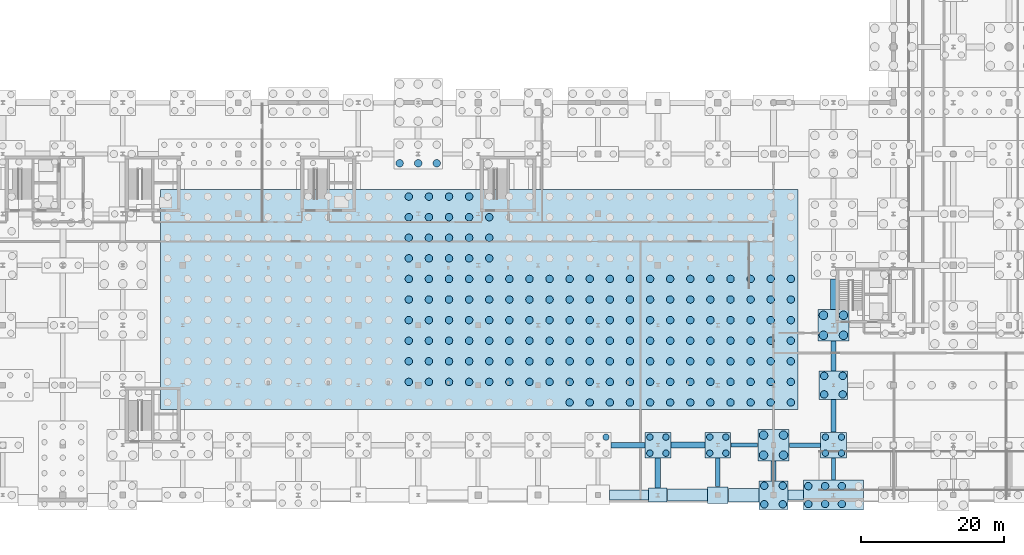
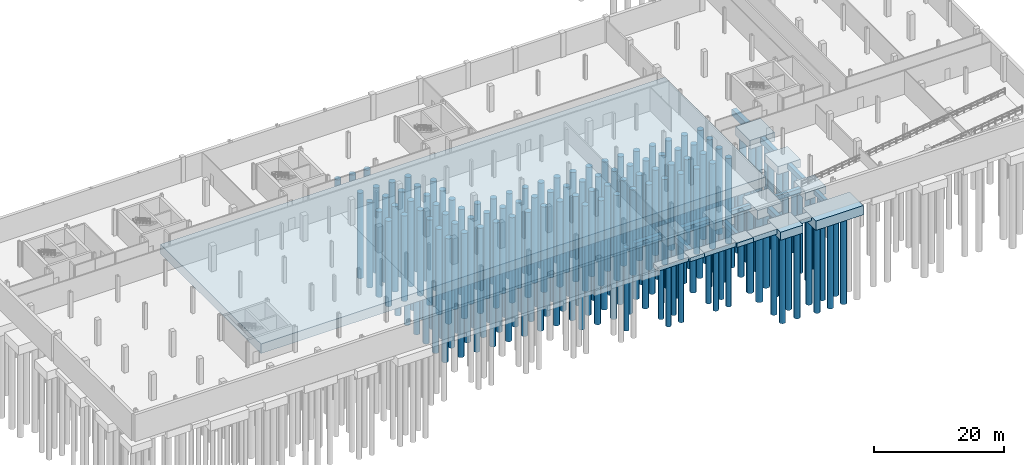
# One storey, part 4 of 32: 189 piles, 26 footings.
"""IFC4 building model written with IfcOpenShell, lengths in metres."""

from ifc_helpers import new_model, si_unit, direction, frame, origin_with_axes, origin_2d_with_axis, place, context, subcontext, project, spatial, rectangle, circle, extrude, material, material_profile, profile_set, type_object, element, save


model = new_model("IFC4")

# Units and contexts
model_context = context("Model", 3, precision=1e-05, world=origin_with_axes(), true_north=direction((0.0, 1.0)))
body_context = subcontext(model_context, "Body", "Model", "MODEL_VIEW")
ifc_project = project(units=[si_unit("LENGTHUNIT", "METRE"), si_unit("AREAUNIT", "SQUARE_METRE"), si_unit("VOLUMEUNIT", "CUBIC_METRE"), si_unit("PLANEANGLEUNIT", "RADIAN"), si_unit("MASSUNIT", "GRAM", prefix="KILO"), si_unit("THERMODYNAMICTEMPERATUREUNIT", "KELVIN")], contexts=[model_context])

# Site, building, storey
site_placement = place(None, origin_with_axes())
site = spatial("IfcSite", under=ifc_project, at=site_placement, CompositionType="ELEMENT")
building_placement = place(site_placement, origin_with_axes())
building = spatial("IfcBuilding", under=site, at=building_placement, Name="Montbau Bow Law Courts", CompositionType="ELEMENT")
storey_placement = place(building_placement, frame((0.0, 0.0, -4.8), z_axis=(0.0, 0.0, 1.0), x_axis=(1.0, 0.0, 0.0)))
storey = spatial("IfcBuildingStorey", under=building, at=storey_placement, Name="B1", CompositionType="ELEMENT", Elevation=-4.8)

# Footings
ifc_material_1 = material(Name="Concrete CSA A23.1 f'c 35 MPa", Category="concrete")
footing_type_1 = type_object("IfcFootingType", Name="FB-01", PredefinedType="FOOTING_BEAM", material=ifc_material_1)
footing_1_placement = place(None, frame((126.2, 13.8, -6.25), z_axis=(0.0, 0.0, 1.0), x_axis=(1.0, 0.0, 0.0)))
element("IfcFooting", 1, at=footing_1_placement, inside=storey, type_object=footing_type_1, Name="FB-013:fbm2_0031", PredefinedType="FOOTING_BEAM", context=body_context, shape_type="SweptSolid", body=[
    extrude(rectangle(XDim=4.37, YDim=0.65, at=origin_2d_with_axis()), origin_with_axes(), (0.0, 0.0, 1.0), 0.9),
])
footing_2_placement = place(None, frame((130.2, 17.9, -6.25), z_axis=(0.0, 0.0, 1.0), x_axis=(0.0, 1.0, 0.0)))
element("IfcFooting", 2, at=footing_2_placement, inside=storey, type_object=footing_type_1, Name="FB-133:fbm2_0151", PredefinedType="FOOTING_BEAM", context=body_context, shape_type="SweptSolid", body=[
    extrude(rectangle(XDim=4.57, YDim=0.65, at=origin_2d_with_axis()), origin_with_axes(), (0.0, 0.0, 1.0), 0.9),
])
footing_type_2 = type_object("IfcFootingType", Name="FB-02", PredefinedType="FOOTING_BEAM", material=ifc_material_1)
footing_3_placement = place(None, frame((101.4, 13.8, -6.4), z_axis=(0.0, 0.0, 1.0), x_axis=(1.0, 0.0, 0.0)))
element("IfcFooting", 3, at=footing_3_placement, inside=storey, type_object=footing_type_2, Name="FB-010:fbm2_0028", PredefinedType="FOOTING_BEAM", context=body_context, shape_type="SweptSolid", body=[
    extrude(rectangle(XDim=4.77, YDim=0.75, at=origin_2d_with_axis()), origin_with_axes(), (0.0, 0.0, 1.0), 1.05),
])
footing_4_placement = place(None, frame((105.6, 9.9, -6.4), z_axis=(0.0, 0.0, 1.0), x_axis=(0.0, 1.0, 0.0)))
element("IfcFooting", 4, at=footing_4_placement, inside=storey, type_object=footing_type_2, Name="FB-126:fbm2_0144", PredefinedType="FOOTING_BEAM", context=body_context, shape_type="SweptSolid", body=[
    extrude(rectangle(XDim=4.17, YDim=0.75, at=origin_2d_with_axis()), origin_with_axes(), (0.0, 0.0, 1.0), 1.05),
])
footing_5_placement = place(None, frame((121.8, 10.2, -6.4), z_axis=(0.0, 0.0, 1.0), x_axis=(0.0, 1.0, 0.0)))
element("IfcFooting", 5, at=footing_5_placement, inside=storey, type_object=footing_type_2, Name="FB-130:fbm2_0148", PredefinedType="FOOTING_BEAM", context=body_context, shape_type="SweptSolid", body=[
    extrude(rectangle(XDim=2.77, YDim=0.75, at=origin_2d_with_axis()), origin_with_axes(), (0.0, 0.0, 1.0), 1.05),
])
footing_6_placement = place(None, frame((130.2, 26.3, -6.4), z_axis=(0.0, 0.0, 1.0), x_axis=(0.0, 1.0, 0.0)))
element("IfcFooting", 6, at=footing_6_placement, inside=storey, type_object=footing_type_2, Name="FB-134:fbm2_0152", PredefinedType="FOOTING_BEAM", context=body_context, shape_type="SweptSolid", body=[
    extrude(rectangle(XDim=4.17, YDim=0.75, at=origin_2d_with_axis()), origin_with_axes(), (0.0, 0.0, 1.0), 1.05),
])
footing_type_3 = type_object("IfcFootingType", Name="FB-03", PredefinedType="FOOTING_BEAM", material=ifc_material_1)
footing_7_placement = place(None, frame((109.8, 13.8, -6.55), z_axis=(0.0, 0.0, 1.0), x_axis=(1.0, 0.0, 0.0)))
element("IfcFooting", 7, at=footing_7_placement, inside=storey, type_object=footing_type_3, Name="FB-011:fbm2_0029", PredefinedType="FOOTING_BEAM", context=body_context, shape_type="SweptSolid", body=[
    extrude(rectangle(XDim=4.77, YDim=0.85, at=origin_2d_with_axis()), origin_with_axes(), (0.0, 0.0, 1.0), 1.2),
])
footing_8_placement = place(None, frame((130.2, 34.95, -6.55), z_axis=(0.0, 0.0, 1.0), x_axis=(0.0, 1.0, 0.0)))
element("IfcFooting", 8, at=footing_8_placement, inside=storey, type_object=footing_type_3, Name="FB-135:fbm2_0153", PredefinedType="FOOTING_BEAM", context=body_context, shape_type="SweptSolid", body=[
    extrude(rectangle(XDim=4.27, YDim=0.85, at=origin_2d_with_axis()), origin_with_axes(), (0.0, 0.0, 1.0), 1.2),
])
footing_type_4 = type_object("IfcFootingType", Name="FB-04", PredefinedType="FOOTING_BEAM", material=ifc_material_1)
footing_9_placement = place(None, frame((117.7, 13.8, -6.15), z_axis=(0.0, 0.0, 1.0), x_axis=(1.0, 0.0, 0.0)))
element("IfcFooting", 9, at=footing_9_placement, inside=storey, type_object=footing_type_4, Name="FB-012:fbm2_0030", PredefinedType="FOOTING_BEAM", context=body_context, shape_type="SweptSolid", body=[
    extrude(rectangle(XDim=3.77, YDim=0.6, at=origin_2d_with_axis()), origin_with_axes(), (0.0, 0.0, 1.0), 0.8),
])
footing_10_placement = place(None, frame((114.0, 9.975, -6.15), z_axis=(0.0, 0.0, 1.0), x_axis=(0.0, 1.0, 0.0)))
element("IfcFooting", 10, at=footing_10_placement, inside=storey, type_object=footing_type_4, Name="FB-128:fbm2_0146", PredefinedType="FOOTING_BEAM", context=body_context, shape_type="SweptSolid", body=[
    extrude(rectangle(XDim=4.02, YDim=0.6, at=origin_2d_with_axis()), origin_with_axes(), (0.0, 0.0, 1.0), 0.8),
])
footing_11_placement = place(None, frame((130.2, 10.45, -6.15), z_axis=(0.0, 0.0, 1.0), x_axis=(0.0, 1.0, 0.0)))
element("IfcFooting", 11, at=footing_11_placement, inside=storey, type_object=footing_type_4, Name="FB-132:fbm2_0150", PredefinedType="FOOTING_BEAM", context=body_context, shape_type="SweptSolid", body=[
    extrude(rectangle(XDim=3.07, YDim=0.6, at=origin_2d_with_axis()), origin_with_axes(), (0.0, 0.0, 1.0), 0.8),
])
footing_type_5 = type_object("IfcFootingType", Name="FC-01", PredefinedType="PILE_CAP", material=ifc_material_1)
for number, where, z_axis, x_axis, name in (
    (12, (130.2, 13.8, -6.75), (0.0, 0.0, 1.0), (1.0, 0.0, 0.0), "FCA-049:ftg2_0049"),
    (13, (105.6, 13.8, -6.75), (0.0, 0.0, 1.0), (1.0, 0.0, 0.0), "FC-PLZ-13:ftg2_0136"),
    (14, (114.0, 13.8, -6.75), (0.0, 0.0, 1.0), (1.0, 0.0, 0.0), "FC-PLZ-14:ftg2_0137"),
):
    element("IfcFooting", number, at=place(None, frame(where, z_axis=z_axis, x_axis=x_axis)), inside=storey, type_object=footing_type_5, Name=name, PredefinedType="PILE_CAP", context=body_context, shape_type="SweptSolid", body=[
        extrude(rectangle(XDim=3.6, YDim=3.6, at=origin_2d_with_axis()), origin_with_axes(), (0.0, 0.0, 1.0), 1.4),
    ])
footing_type_6 = type_object("IfcFootingType", Name="FC-02", PredefinedType="PILE_CAP", material=ifc_material_1)
for number, where, z_axis, x_axis, name in (
    (15, (121.8, 6.8, -6.85), (0.0, 0.0, 1.0), (1.0, 0.0, 0.0), "FCA-044:ftg2_0044"),
    (16, (130.2, 22.2, -6.85), (0.0, 0.0, 1.0), (1.0, 0.0, 0.0), "FCA-050:ftg2_0050"),
):
    element("IfcFooting", number, at=place(None, frame(where, z_axis=z_axis, x_axis=x_axis)), inside=storey, type_object=footing_type_6, Name=name, PredefinedType="PILE_CAP", context=body_context, shape_type="SweptSolid", body=[
        extrude(rectangle(XDim=4.0, YDim=4.0, at=origin_2d_with_axis()), origin_with_axes(), (0.0, 0.0, 1.0), 1.5),
    ])
footing_type_7 = type_object("IfcFootingType", Name="FC-03", PredefinedType="PILE_CAP", material=ifc_material_1)
for number, where, z_axis, x_axis, name in (
    (17, (121.8, 13.8, -7.0), (0.0, 0.0, 1.0), (1.0, 0.0, 0.0), "FCA-045:ftg2_0045"),
    (18, (130.2, 30.6, -7.0), (0.0, 0.0, 1.0), (1.0, 0.0, 0.0), "FCA-051:ftg2_0051"),
):
    element("IfcFooting", number, at=place(None, frame(where, z_axis=z_axis, x_axis=x_axis)), inside=storey, type_object=footing_type_7, Name=name, PredefinedType="PILE_CAP", context=body_context, shape_type="SweptSolid", body=[
        extrude(rectangle(XDim=4.4, YDim=4.4, at=origin_2d_with_axis()), origin_with_axes(), (0.0, 0.0, 1.0), 1.65),
    ])
footing_type_8 = type_object("IfcFootingType", Name="FC-10", PredefinedType="PILE_CAP", material=ifc_material_1)
footing_12_placement = place(None, frame((130.2, 6.8, -7.1), z_axis=(0.0, 0.0, 1.0), x_axis=(1.0, 0.0, 0.0)))
element("IfcFooting", 19, at=footing_12_placement, inside=storey, type_object=footing_type_8, Name="FCA-048:ftg2_0048", PredefinedType="PILE_CAP", context=body_context, shape_type="SweptSolid", body=[
    extrude(rectangle(XDim=8.4, YDim=4.2, at=origin_2d_with_axis()), origin_with_axes(), (0.0, 0.0, 1.0), 1.75),
])
footing_type_9 = type_object("IfcFootingType", Name="FC-CMB", PredefinedType="PILE_CAP", material=ifc_material_1)
footing_13_placement = place(None, frame((80.55, 34.2, -7.15), z_axis=(0.0, 0.0, 1.0), x_axis=(1.0, 0.0, 0.0)))
element("IfcFooting", 20, at=footing_13_placement, inside=storey, type_object=footing_type_9, Name="FCA-028:ftg2_0028", PredefinedType="PILE_CAP", context=body_context, shape_type="SweptSolid", body=[
    extrude(rectangle(XDim=89.3, YDim=30.8, at=origin_2d_with_axis()), origin_with_axes(), (0.0, 0.0, 1.0), 1.8),
])
footing_type_10 = type_object("IfcFootingType", Name="FP-06", PredefinedType="PAD_FOOTING", material=ifc_material_1)
footing_14_placement = place(None, frame((105.6, 6.8, -6.05), z_axis=(0.0, 0.0, 1.0), x_axis=(1.0, 0.0, 0.0)))
element("IfcFooting", 21, at=footing_14_placement, inside=storey, type_object=footing_type_10, Name="FP-06:ftg2_0121", PredefinedType="PAD_FOOTING", context=body_context, shape_type="SweptSolid", body=[
    extrude(rectangle(XDim=2.6, YDim=2.0, at=origin_2d_with_axis()), origin_with_axes(), (0.0, 0.0, 1.0), 0.7),
])
footing_type_11 = type_object("IfcFootingType", Name="FP-08", PredefinedType="PAD_FOOTING", material=ifc_material_1)
footing_15_placement = place(None, frame((114.0, 6.8, -6.17), z_axis=(0.0, 0.0, 1.0), x_axis=(1.0, 0.0, 0.0)))
element("IfcFooting", 22, at=footing_15_placement, inside=storey, type_object=footing_type_11, Name="FP-08:ftg2_0123", PredefinedType="PAD_FOOTING", context=body_context, shape_type="SweptSolid", body=[
    extrude(rectangle(XDim=2.9, YDim=2.3, at=origin_2d_with_axis()), origin_with_axes(), (0.0, 0.0, 1.0), 0.82),
])

# Piles
ifc_material_2 = material(Name="Concrete CSA A23.1 f'c 40 MPa", Category="concrete")
ifc_material_profile_1 = material_profile(ifc_material_2, circle(Radius=0.45, at=origin_2d_with_axis()), Name="BP900", Category="Main", Priority=0)
ifc_profile_set_1 = profile_set([ifc_material_profile_1], Name="Concrete CSA A23.1 f'c 40 MPa")
pile_type_1 = type_object("IfcPileType", Name="P-0900", PredefinedType="BORED", material=ifc_profile_set_1)
for number, where, z_axis, x_axis, name in (
    (23, (129.075, 12.675, -22.15), (0.0, 0.0, 1.0), (1.0, 0.0, 0.0), "FCA-049-P01:pil_f2_0196"),
    (24, (129.075, 14.925, -22.15), (0.0, 0.0, 1.0), (1.0, 0.0, 0.0), "FCA-049-P02:pil_f2_0197"),
    (25, (131.325, 12.675, -22.15), (0.0, 0.0, 1.0), (1.0, 0.0, 0.0), "FCA-049-P03:pil_f2_0198"),
    (26, (131.325, 14.925, -22.15), (0.0, 0.0, 1.0), (1.0, 0.0, 0.0), "FCA-049-P04:pil_f2_0199"),
    (27, (98.325, 14.925, -22.15), (0.0, 0.0, 1.0), (1.0, 0.0, 0.0), "FC-PLZ-12-P04:pil_f2_0502"),
    (28, (104.475, 12.675, -22.15), (0.0, 0.0, 1.0), (1.0, 0.0, 0.0), "FC-PLZ-13-P01:pil_f2_0503"),
    (29, (104.475, 14.925, -22.15), (0.0, 0.0, 1.0), (1.0, 0.0, 0.0), "FC-PLZ-13-P02:pil_f2_0504"),
    (30, (106.725, 12.675, -22.15), (0.0, 0.0, 1.0), (1.0, 0.0, 0.0), "FC-PLZ-13-P03:pil_f2_0505"),
    (31, (106.725, 14.925, -22.15), (0.0, 0.0, 1.0), (1.0, 0.0, 0.0), "FC-PLZ-13-P04:pil_f2_0506"),
    (32, (112.875, 12.675, -22.15), (0.0, 0.0, 1.0), (1.0, 0.0, 0.0), "FC-PLZ-14-P01:pil_f2_0507"),
    (33, (112.875, 14.925, -22.15), (0.0, 0.0, 1.0), (1.0, 0.0, 0.0), "FC-PLZ-14-P02:pil_f2_0508"),
    (34, (115.125, 12.675, -22.15), (0.0, 0.0, 1.0), (1.0, 0.0, 0.0), "FC-PLZ-14-P03:pil_f2_0509"),
    (35, (115.125, 14.925, -22.15), (0.0, 0.0, 1.0), (1.0, 0.0, 0.0), "FC-PLZ-14-P04:pil_f2_0510"),
):
    element("IfcPile", number, at=place(None, frame(where, z_axis=z_axis, x_axis=x_axis)), inside=storey, type_object=pile_type_1, Name=name, ConstructionType="CAST_IN_PLACE", PredefinedType="BORED", context=body_context, shape_type="SweptSolid", body=[
        extrude(circle(Radius=0.45, at=origin_2d_with_axis()), origin_with_axes(), (0.0, 0.0, 1.0), 15.5),
    ])
ifc_material_profile_2 = material_profile(ifc_material_2, circle(Radius=0.525, at=origin_2d_with_axis()), Name="BP1050", Category="Main", Priority=0)
ifc_profile_set_2 = profile_set([ifc_material_profile_2], Name="Concrete CSA A23.1 f'c 40 MPa")
pile_type_2 = type_object("IfcPileType", Name="P-1050", PredefinedType="BORED", material=ifc_profile_set_2)
for number, where, z_axis, x_axis, name in (
    (36, (70.688, 22.66, -23.05), (0.0, 0.0, 1.0), (1.0, 0.0, 0.0), "FCA-028-P134:pil_e2_0172"),
    (37, (70.688, 25.545, -23.05), (0.0, 0.0, 1.0), (1.0, 0.0, 0.0), "FCA-028-P135:pil_e2_0173"),
    (38, (70.688, 28.43, -23.05), (0.0, 0.0, 1.0), (1.0, 0.0, 0.0), "FCA-028-P136:pil_e2_0174"),
    (39, (70.688, 31.315, -23.05), (0.0, 0.0, 1.0), (1.0, 0.0, 0.0), "FCA-028-P137:pil_e2_0175"),
    (40, (70.688, 34.2, -23.05), (0.0, 0.0, 1.0), (1.0, 0.0, 0.0), "FCA-028-P138:pil_e2_0176"),
    (41, (70.688, 37.085, -23.05), (0.0, 0.0, 1.0), (1.0, 0.0, 0.0), "FCA-028-P139:pil_e2_0177"),
    (42, (70.688, 39.97, -23.05), (0.0, 0.0, 1.0), (1.0, 0.0, 0.0), "FCA-028-P140:pil_e2_0178"),
    (43, (70.688, 42.855, -23.05), (0.0, 0.0, 1.0), (1.0, 0.0, 0.0), "FCA-028-P141:pil_e2_0179"),
    (44, (70.688, 45.74, -23.05), (0.0, 0.0, 1.0), (1.0, 0.0, 0.0), "FCA-028-P142:pil_e2_0180"),
    (45, (70.688, 48.625, -23.05), (0.0, 0.0, 1.0), (1.0, 0.0, 0.0), "FCA-028-P143:pil_e2_0181"),
    (46, (73.506, 22.66, -23.05), (0.0, 0.0, 1.0), (1.0, 0.0, 0.0), "FCA-028-P145:pil_e2_0183"),
    (47, (73.506, 25.545, -23.05), (0.0, 0.0, 1.0), (1.0, 0.0, 0.0), "FCA-028-P146:pil_e2_0184"),
    (48, (73.506, 28.43, -23.05), (0.0, 0.0, 1.0), (1.0, 0.0, 0.0), "FCA-028-P147:pil_e2_0185"),
    (49, (73.506, 31.315, -23.05), (0.0, 0.0, 1.0), (1.0, 0.0, 0.0), "FCA-028-P148:pil_e2_0186"),
    (50, (73.506, 34.2, -23.05), (0.0, 0.0, 1.0), (1.0, 0.0, 0.0), "FCA-028-P149:pil_e2_0187"),
    (51, (73.506, 37.085, -23.05), (0.0, 0.0, 1.0), (1.0, 0.0, 0.0), "FCA-028-P150:pil_e2_0188"),
    (52, (73.506, 39.97, -23.05), (0.0, 0.0, 1.0), (1.0, 0.0, 0.0), "FCA-028-P151:pil_e2_0189"),
    (53, (73.506, 42.855, -23.05), (0.0, 0.0, 1.0), (1.0, 0.0, 0.0), "FCA-028-P152:pil_e2_0190"),
    (54, (73.506, 45.74, -23.05), (0.0, 0.0, 1.0), (1.0, 0.0, 0.0), "FCA-028-P153:pil_e2_0191"),
    (55, (73.506, 48.625, -23.05), (0.0, 0.0, 1.0), (1.0, 0.0, 0.0), "FCA-028-P154:pil_e2_0192"),
    (56, (76.323, 22.66, -23.05), (0.0, 0.0, 1.0), (1.0, 0.0, 0.0), "FCA-028-P156:pil_e2_0194"),
    (57, (76.323, 25.545, -23.05), (0.0, 0.0, 1.0), (1.0, 0.0, 0.0), "FCA-028-P157:pil_e2_0195"),
    (58, (76.323, 28.43, -23.05), (0.0, 0.0, 1.0), (1.0, 0.0, 0.0), "FCA-028-P158:pil_e2_0196"),
    (59, (76.323, 31.315, -23.05), (0.0, 0.0, 1.0), (1.0, 0.0, 0.0), "FCA-028-P159:pil_e2_0197"),
    (60, (76.323, 34.2, -23.05), (0.0, 0.0, 1.0), (1.0, 0.0, 0.0), "FCA-028-P160:pil_e2_0198"),
    (61, (76.323, 37.085, -23.05), (0.0, 0.0, 1.0), (1.0, 0.0, 0.0), "FCA-028-P161:pil_e2_0199"),
    (62, (76.323, 39.97, -23.05), (0.0, 0.0, 1.0), (1.0, 0.0, 0.0), "FCA-028-P162:pil_e2_0200"),
    (63, (76.323, 42.855, -23.05), (0.0, 0.0, 1.0), (1.0, 0.0, 0.0), "FCA-028-P163:pil_e2_0201"),
    (64, (76.323, 45.74, -23.05), (0.0, 0.0, 1.0), (1.0, 0.0, 0.0), "FCA-028-P164:pil_e2_0202"),
    (65, (76.323, 48.625, -23.05), (0.0, 0.0, 1.0), (1.0, 0.0, 0.0), "FCA-028-P165:pil_e2_0203"),
    (66, (79.141, 22.66, -23.05), (0.0, 0.0, 1.0), (1.0, 0.0, 0.0), "FCA-028-P167:pil_e2_0205"),
    (67, (79.141, 25.545, -23.05), (0.0, 0.0, 1.0), (1.0, 0.0, 0.0), "FCA-028-P168:pil_e2_0206"),
    (68, (79.141, 28.43, -23.05), (0.0, 0.0, 1.0), (1.0, 0.0, 0.0), "FCA-028-P169:pil_e2_0207"),
    (69, (79.141, 31.315, -23.05), (0.0, 0.0, 1.0), (1.0, 0.0, 0.0), "FCA-028-P170:pil_e2_0208"),
    (70, (79.141, 34.2, -23.05), (0.0, 0.0, 1.0), (1.0, 0.0, 0.0), "FCA-028-P171:pil_e2_0209"),
    (71, (79.141, 37.085, -23.05), (0.0, 0.0, 1.0), (1.0, 0.0, 0.0), "FCA-028-P172:pil_e2_0210"),
    (72, (79.141, 39.97, -23.05), (0.0, 0.0, 1.0), (1.0, 0.0, 0.0), "FCA-028-P173:pil_e2_0211"),
    (73, (79.141, 42.855, -23.05), (0.0, 0.0, 1.0), (1.0, 0.0, 0.0), "FCA-028-P174:pil_e2_0212"),
    (74, (79.141, 45.74, -23.05), (0.0, 0.0, 1.0), (1.0, 0.0, 0.0), "FCA-028-P175:pil_e2_0213"),
    (75, (79.141, 48.625, -23.05), (0.0, 0.0, 1.0), (1.0, 0.0, 0.0), "FCA-028-P176:pil_e2_0214"),
    (76, (81.959, 22.66, -23.05), (0.0, 0.0, 1.0), (1.0, 0.0, 0.0), "FCA-028-P178:pil_e2_0216"),
    (77, (81.959, 25.545, -23.05), (0.0, 0.0, 1.0), (1.0, 0.0, 0.0), "FCA-028-P179:pil_e2_0217"),
    (78, (81.959, 28.43, -23.05), (0.0, 0.0, 1.0), (1.0, 0.0, 0.0), "FCA-028-P180:pil_e2_0218"),
    (79, (81.959, 31.315, -23.05), (0.0, 0.0, 1.0), (1.0, 0.0, 0.0), "FCA-028-P181:pil_e2_0219"),
    (80, (81.959, 34.2, -23.05), (0.0, 0.0, 1.0), (1.0, 0.0, 0.0), "FCA-028-P182:pil_e2_0220"),
    (81, (81.959, 37.085, -23.05), (0.0, 0.0, 1.0), (1.0, 0.0, 0.0), "FCA-028-P183:pil_e2_0221"),
    (82, (81.959, 39.97, -23.05), (0.0, 0.0, 1.0), (1.0, 0.0, 0.0), "FCA-028-P184:pil_e2_0222"),
    (83, (81.959, 42.855, -23.05), (0.0, 0.0, 1.0), (1.0, 0.0, 0.0), "FCA-028-P185:pil_e2_0223"),
    (84, (81.959, 45.74, -23.05), (0.0, 0.0, 1.0), (1.0, 0.0, 0.0), "FCA-028-P186:pil_e2_0224"),
    (85, (84.777, 22.66, -23.05), (0.0, 0.0, 1.0), (1.0, 0.0, 0.0), "FCA-028-P189:pil_e2_0227"),
    (86, (84.777, 25.545, -23.05), (0.0, 0.0, 1.0), (1.0, 0.0, 0.0), "FCA-028-P190:pil_e2_0228"),
    (87, (84.777, 28.43, -23.05), (0.0, 0.0, 1.0), (1.0, 0.0, 0.0), "FCA-028-P191:pil_e2_0229"),
    (88, (84.777, 31.315, -23.05), (0.0, 0.0, 1.0), (1.0, 0.0, 0.0), "FCA-028-P192:pil_e2_0230"),
    (89, (84.777, 34.2, -23.05), (0.0, 0.0, 1.0), (1.0, 0.0, 0.0), "FCA-028-P193:pil_e2_0231"),
    (90, (84.777, 37.085, -23.05), (0.0, 0.0, 1.0), (1.0, 0.0, 0.0), "FCA-028-P194:pil_e2_0232"),
    (91, (87.594, 22.66, -23.05), (0.0, 0.0, 1.0), (1.0, 0.0, 0.0), "FCA-028-P200:pil_e2_0238"),
    (92, (87.594, 25.545, -23.05), (0.0, 0.0, 1.0), (1.0, 0.0, 0.0), "FCA-028-P201:pil_e2_0239"),
    (93, (87.594, 28.43, -23.05), (0.0, 0.0, 1.0), (1.0, 0.0, 0.0), "FCA-028-P202:pil_e2_0240"),
    (94, (87.594, 31.315, -23.05), (0.0, 0.0, 1.0), (1.0, 0.0, 0.0), "FCA-028-P203:pil_e2_0241"),
    (95, (87.594, 34.2, -23.05), (0.0, 0.0, 1.0), (1.0, 0.0, 0.0), "FCA-028-P204:pil_e2_0242"),
    (96, (87.594, 37.085, -23.05), (0.0, 0.0, 1.0), (1.0, 0.0, 0.0), "FCA-028-P205:pil_e2_0243"),
    (97, (90.412, 22.66, -23.05), (0.0, 0.0, 1.0), (1.0, 0.0, 0.0), "FCA-028-P211:pil_e2_0249"),
    (98, (90.412, 25.545, -23.05), (0.0, 0.0, 1.0), (1.0, 0.0, 0.0), "FCA-028-P212:pil_e2_0250"),
    (99, (90.412, 28.43, -23.05), (0.0, 0.0, 1.0), (1.0, 0.0, 0.0), "FCA-028-P213:pil_e2_0251"),
    (100, (90.412, 31.315, -23.05), (0.0, 0.0, 1.0), (1.0, 0.0, 0.0), "FCA-028-P214:pil_e2_0252"),
    (101, (90.412, 34.2, -23.05), (0.0, 0.0, 1.0), (1.0, 0.0, 0.0), "FCA-028-P215:pil_e2_0253"),
    (102, (90.412, 37.085, -23.05), (0.0, 0.0, 1.0), (1.0, 0.0, 0.0), "FCA-028-P216:pil_e2_0254"),
    (103, (93.23, 19.775, -23.05), (0.0, 0.0, 1.0), (1.0, 0.0, 0.0), "FCA-028-P221:pil_e2_0259"),
    (104, (93.23, 22.66, -23.05), (0.0, 0.0, 1.0), (1.0, 0.0, 0.0), "FCA-028-P222:pil_e2_0260"),
    (105, (93.23, 25.545, -23.05), (0.0, 0.0, 1.0), (1.0, 0.0, 0.0), "FCA-028-P223:pil_e2_0261"),
    (106, (93.23, 28.43, -23.05), (0.0, 0.0, 1.0), (1.0, 0.0, 0.0), "FCA-028-P224:pil_e2_0262"),
    (107, (93.23, 31.315, -23.05), (0.0, 0.0, 1.0), (1.0, 0.0, 0.0), "FCA-028-P225:pil_e2_0263"),
    (108, (93.23, 34.2, -23.05), (0.0, 0.0, 1.0), (1.0, 0.0, 0.0), "FCA-028-P226:pil_e2_0264"),
    (109, (93.23, 37.085, -23.05), (0.0, 0.0, 1.0), (1.0, 0.0, 0.0), "FCA-028-P227:pil_e2_0265"),
    (110, (96.048, 19.775, -23.05), (0.0, 0.0, 1.0), (1.0, 0.0, 0.0), "FCA-028-P232:pil_e2_0270"),
    (111, (96.048, 22.66, -23.05), (0.0, 0.0, 1.0), (1.0, 0.0, 0.0), "FCA-028-P233:pil_e2_0271"),
    (112, (96.048, 25.545, -23.05), (0.0, 0.0, 1.0), (1.0, 0.0, 0.0), "FCA-028-P234:pil_e2_0272"),
    (113, (96.048, 28.43, -23.05), (0.0, 0.0, 1.0), (1.0, 0.0, 0.0), "FCA-028-P235:pil_e2_0273"),
    (114, (96.048, 31.315, -23.05), (0.0, 0.0, 1.0), (1.0, 0.0, 0.0), "FCA-028-P236:pil_e2_0274"),
    (115, (96.048, 34.2, -23.05), (0.0, 0.0, 1.0), (1.0, 0.0, 0.0), "FCA-028-P237:pil_e2_0275"),
    (116, (96.048, 37.085, -23.05), (0.0, 0.0, 1.0), (1.0, 0.0, 0.0), "FCA-028-P238:pil_e2_0276"),
    (117, (98.865, 19.775, -23.05), (0.0, 0.0, 1.0), (1.0, 0.0, 0.0), "FCA-028-P243:pil_e2_0281"),
    (118, (98.865, 22.66, -23.05), (0.0, 0.0, 1.0), (1.0, 0.0, 0.0), "FCA-028-P244:pil_e2_0282"),
    (119, (98.865, 25.545, -23.05), (0.0, 0.0, 1.0), (1.0, 0.0, 0.0), "FCA-028-P245:pil_e2_0283"),
    (120, (98.865, 28.43, -23.05), (0.0, 0.0, 1.0), (1.0, 0.0, 0.0), "FCA-028-P246:pil_e2_0284"),
    (121, (98.865, 31.315, -23.05), (0.0, 0.0, 1.0), (1.0, 0.0, 0.0), "FCA-028-P247:pil_e2_0285"),
    (122, (98.865, 34.2, -23.05), (0.0, 0.0, 1.0), (1.0, 0.0, 0.0), "FCA-028-P248:pil_e2_0286"),
    (123, (98.865, 37.085, -23.05), (0.0, 0.0, 1.0), (1.0, 0.0, 0.0), "FCA-028-P249:pil_e2_0287"),
    (124, (101.683, 19.775, -23.05), (0.0, 0.0, 1.0), (1.0, 0.0, 0.0), "FCA-028-P254:pil_e2_0292"),
    (125, (101.683, 22.66, -23.05), (0.0, 0.0, 1.0), (1.0, 0.0, 0.0), "FCA-028-P255:pil_e2_0293"),
    (126, (101.683, 25.545, -23.05), (0.0, 0.0, 1.0), (1.0, 0.0, 0.0), "FCA-028-P256:pil_e2_0294"),
    (127, (101.683, 28.43, -23.05), (0.0, 0.0, 1.0), (1.0, 0.0, 0.0), "FCA-028-P257:pil_e2_0295"),
    (128, (101.683, 31.315, -23.05), (0.0, 0.0, 1.0), (1.0, 0.0, 0.0), "FCA-028-P258:pil_e2_0296"),
    (129, (101.683, 34.2, -23.05), (0.0, 0.0, 1.0), (1.0, 0.0, 0.0), "FCA-028-P259:pil_e2_0297"),
    (130, (101.683, 37.085, -23.05), (0.0, 0.0, 1.0), (1.0, 0.0, 0.0), "FCA-028-P260:pil_e2_0298"),
    (131, (104.501, 19.775, -23.05), (0.0, 0.0, 1.0), (1.0, 0.0, 0.0), "FCA-028-P265:pil_e2_0303"),
    (132, (104.501, 22.66, -23.05), (0.0, 0.0, 1.0), (1.0, 0.0, 0.0), "FCA-028-P266:pil_e2_0304"),
    (133, (104.501, 25.545, -23.05), (0.0, 0.0, 1.0), (1.0, 0.0, 0.0), "FCA-028-P267:pil_e2_0305"),
    (134, (104.501, 28.43, -23.05), (0.0, 0.0, 1.0), (1.0, 0.0, 0.0), "FCA-028-P268:pil_e2_0306"),
    (135, (104.501, 31.315, -23.05), (0.0, 0.0, 1.0), (1.0, 0.0, 0.0), "FCA-028-P269:pil_e2_0307"),
    (136, (104.501, 34.2, -23.05), (0.0, 0.0, 1.0), (1.0, 0.0, 0.0), "FCA-028-P270:pil_e2_0308"),
    (137, (104.501, 37.085, -23.05), (0.0, 0.0, 1.0), (1.0, 0.0, 0.0), "FCA-028-P271:pil_e2_0309"),
    (138, (107.319, 19.775, -23.05), (0.0, 0.0, 1.0), (1.0, 0.0, 0.0), "FCA-028-P276:pil_e2_0314"),
    (139, (107.319, 22.66, -23.05), (0.0, 0.0, 1.0), (1.0, 0.0, 0.0), "FCA-028-P277:pil_e2_0315"),
    (140, (107.319, 25.545, -23.05), (0.0, 0.0, 1.0), (1.0, 0.0, 0.0), "FCA-028-P278:pil_e2_0316"),
    (141, (107.319, 28.43, -23.05), (0.0, 0.0, 1.0), (1.0, 0.0, 0.0), "FCA-028-P279:pil_e2_0317"),
    (142, (107.319, 31.315, -23.05), (0.0, 0.0, 1.0), (1.0, 0.0, 0.0), "FCA-028-P280:pil_e2_0318"),
    (143, (107.319, 34.2, -23.05), (0.0, 0.0, 1.0), (1.0, 0.0, 0.0), "FCA-028-P281:pil_e2_0319"),
    (144, (107.319, 37.085, -23.05), (0.0, 0.0, 1.0), (1.0, 0.0, 0.0), "FCA-028-P282:pil_e2_0320"),
    (145, (110.136, 19.775, -23.05), (0.0, 0.0, 1.0), (1.0, 0.0, 0.0), "FCA-028-P287:pil_e2_0325"),
    (146, (110.136, 22.66, -23.05), (0.0, 0.0, 1.0), (1.0, 0.0, 0.0), "FCA-028-P288:pil_e2_0326"),
    (147, (110.136, 25.545, -23.05), (0.0, 0.0, 1.0), (1.0, 0.0, 0.0), "FCA-028-P289:pil_e2_0327"),
    (148, (110.136, 28.43, -23.05), (0.0, 0.0, 1.0), (1.0, 0.0, 0.0), "FCA-028-P290:pil_e2_0328"),
    (149, (110.136, 31.315, -23.05), (0.0, 0.0, 1.0), (1.0, 0.0, 0.0), "FCA-028-P291:pil_e2_0329"),
    (150, (110.136, 34.2, -23.05), (0.0, 0.0, 1.0), (1.0, 0.0, 0.0), "FCA-028-P292:pil_e2_0330"),
    (151, (110.136, 37.085, -23.05), (0.0, 0.0, 1.0), (1.0, 0.0, 0.0), "FCA-028-P293:pil_e2_0331"),
    (152, (112.954, 19.775, -23.05), (0.0, 0.0, 1.0), (1.0, 0.0, 0.0), "FCA-028-P298:pil_e2_0336"),
    (153, (112.954, 22.66, -23.05), (0.0, 0.0, 1.0), (1.0, 0.0, 0.0), "FCA-028-P299:pil_e2_0337"),
    (154, (112.954, 25.545, -23.05), (0.0, 0.0, 1.0), (1.0, 0.0, 0.0), "FCA-028-P300:pil_e2_0338"),
    (155, (112.954, 28.43, -23.05), (0.0, 0.0, 1.0), (1.0, 0.0, 0.0), "FCA-028-P301:pil_e2_0339"),
    (156, (112.954, 31.315, -23.05), (0.0, 0.0, 1.0), (1.0, 0.0, 0.0), "FCA-028-P302:pil_e2_0340"),
    (157, (112.954, 34.2, -23.05), (0.0, 0.0, 1.0), (1.0, 0.0, 0.0), "FCA-028-P303:pil_e2_0341"),
    (158, (112.954, 37.085, -23.05), (0.0, 0.0, 1.0), (1.0, 0.0, 0.0), "FCA-028-P304:pil_e2_0342"),
    (159, (115.772, 19.775, -23.05), (0.0, 0.0, 1.0), (1.0, 0.0, 0.0), "FCA-028-P309:pil_e2_0347"),
    (160, (115.772, 22.66, -23.05), (0.0, 0.0, 1.0), (1.0, 0.0, 0.0), "FCA-028-P310:pil_e2_0348"),
    (161, (115.772, 25.545, -23.05), (0.0, 0.0, 1.0), (1.0, 0.0, 0.0), "FCA-028-P311:pil_e2_0349"),
    (162, (115.772, 28.43, -23.05), (0.0, 0.0, 1.0), (1.0, 0.0, 0.0), "FCA-028-P312:pil_e2_0350"),
    (163, (115.772, 31.315, -23.05), (0.0, 0.0, 1.0), (1.0, 0.0, 0.0), "FCA-028-P313:pil_e2_0351"),
    (164, (115.772, 34.2, -23.05), (0.0, 0.0, 1.0), (1.0, 0.0, 0.0), "FCA-028-P314:pil_e2_0352"),
    (165, (115.772, 37.085, -23.05), (0.0, 0.0, 1.0), (1.0, 0.0, 0.0), "FCA-028-P315:pil_e2_0353"),
    (166, (118.59, 19.775, -23.05), (0.0, 0.0, 1.0), (1.0, 0.0, 0.0), "FCA-028-P320:pil_e2_0358"),
    (167, (118.59, 22.66, -23.05), (0.0, 0.0, 1.0), (1.0, 0.0, 0.0), "FCA-028-P321:pil_e2_0359"),
    (168, (118.59, 25.545, -23.05), (0.0, 0.0, 1.0), (1.0, 0.0, 0.0), "FCA-028-P322:pil_e2_0360"),
    (169, (118.59, 28.43, -23.05), (0.0, 0.0, 1.0), (1.0, 0.0, 0.0), "FCA-028-P323:pil_e2_0361"),
    (170, (118.59, 31.315, -23.05), (0.0, 0.0, 1.0), (1.0, 0.0, 0.0), "FCA-028-P324:pil_e2_0362"),
    (171, (118.59, 34.2, -23.05), (0.0, 0.0, 1.0), (1.0, 0.0, 0.0), "FCA-028-P325:pil_e2_0363"),
    (172, (118.59, 37.085, -23.05), (0.0, 0.0, 1.0), (1.0, 0.0, 0.0), "FCA-028-P326:pil_e2_0364"),
    (173, (121.407, 19.775, -23.05), (0.0, 0.0, 1.0), (1.0, 0.0, 0.0), "FCA-028-P331:pil_e2_0369"),
    (174, (121.407, 22.66, -23.05), (0.0, 0.0, 1.0), (1.0, 0.0, 0.0), "FCA-028-P332:pil_e2_0370"),
    (175, (121.407, 25.545, -23.05), (0.0, 0.0, 1.0), (1.0, 0.0, 0.0), "FCA-028-P333:pil_e2_0371"),
    (176, (121.407, 28.43, -23.05), (0.0, 0.0, 1.0), (1.0, 0.0, 0.0), "FCA-028-P334:pil_e2_0372"),
    (177, (121.407, 31.315, -23.05), (0.0, 0.0, 1.0), (1.0, 0.0, 0.0), "FCA-028-P335:pil_e2_0373"),
    (178, (121.407, 34.2, -23.05), (0.0, 0.0, 1.0), (1.0, 0.0, 0.0), "FCA-028-P336:pil_e2_0374"),
    (179, (121.407, 37.085, -23.05), (0.0, 0.0, 1.0), (1.0, 0.0, 0.0), "FCA-028-P337:pil_e2_0375"),
    (180, (124.225, 19.775, -23.05), (0.0, 0.0, 1.0), (1.0, 0.0, 0.0), "FCA-028-P342:pil_e2_0380"),
    (181, (124.225, 22.66, -23.05), (0.0, 0.0, 1.0), (1.0, 0.0, 0.0), "FCA-028-P343:pil_e2_0381"),
    (182, (124.225, 25.545, -23.05), (0.0, 0.0, 1.0), (1.0, 0.0, 0.0), "FCA-028-P344:pil_e2_0382"),
    (183, (124.225, 28.43, -23.05), (0.0, 0.0, 1.0), (1.0, 0.0, 0.0), "FCA-028-P345:pil_e2_0383"),
    (184, (124.225, 31.315, -23.05), (0.0, 0.0, 1.0), (1.0, 0.0, 0.0), "FCA-028-P346:pil_e2_0384"),
    (185, (124.225, 34.2, -23.05), (0.0, 0.0, 1.0), (1.0, 0.0, 0.0), "FCA-028-P347:pil_e2_0385"),
    (186, (124.225, 37.085, -23.05), (0.0, 0.0, 1.0), (1.0, 0.0, 0.0), "FCA-028-P348:pil_e2_0386"),
    (187, (69.4, 53.3, -22.95), (0.0, 0.0, 1.0), (1.0, 0.0, 0.0), "FCA-035-P01:pil_f2_0127"),
    (188, (72.0, 53.3, -22.95), (0.0, 0.0, 1.0), (1.0, 0.0, 0.0), "FCA-035-P03:pil_f2_0129"),
    (189, (74.6, 53.3, -22.95), (0.0, 0.0, 1.0), (1.0, 0.0, 0.0), "FCA-035-P05:pil_f2_0131"),
    (190, (120.5, 5.5, -22.75), (0.0, 0.0, 1.0), (1.0, 0.0, 0.0), "FCA-044-P01:pil_f2_0175"),
    (191, (120.5, 8.1, -22.75), (0.0, 0.0, 1.0), (1.0, 0.0, 0.0), "FCA-044-P02:pil_f2_0176"),
    (192, (123.1, 5.5, -22.75), (0.0, 0.0, 1.0), (1.0, 0.0, 0.0), "FCA-044-P03:pil_f2_0177"),
    (193, (123.1, 8.1, -22.75), (0.0, 0.0, 1.0), (1.0, 0.0, 0.0), "FCA-044-P04:pil_f2_0178"),
    (194, (126.675, 5.55, -23.0), (0.0, 0.0, 1.0), (1.0, 0.0, 0.0), "FCA-048-P01:pil_f2_0188"),
    (195, (126.675, 8.05, -23.0), (0.0, 0.0, 1.0), (1.0, 0.0, 0.0), "FCA-048-P02:pil_f2_0189"),
    (196, (129.025, 5.55, -23.0), (0.0, 0.0, 1.0), (1.0, 0.0, 0.0), "FCA-048-P03:pil_f2_0190"),
    (197, (129.025, 8.05, -23.0), (0.0, 0.0, 1.0), (1.0, 0.0, 0.0), "FCA-048-P04:pil_f2_0191"),
    (198, (131.375, 5.55, -23.0), (0.0, 0.0, 1.0), (1.0, 0.0, 0.0), "FCA-048-P05:pil_f2_0192"),
    (199, (131.375, 8.05, -23.0), (0.0, 0.0, 1.0), (1.0, 0.0, 0.0), "FCA-048-P06:pil_f2_0193"),
    (200, (128.9, 20.9, -22.75), (0.0, 0.0, 1.0), (1.0, 0.0, 0.0), "FCA-050-P01:pil_f2_0200"),
    (201, (128.9, 23.5, -22.75), (0.0, 0.0, 1.0), (1.0, 0.0, 0.0), "FCA-050-P02:pil_f2_0201"),
    (202, (131.5, 20.9, -22.75), (0.0, 0.0, 1.0), (1.0, 0.0, 0.0), "FCA-050-P03:pil_f2_0202"),
    (203, (131.5, 23.5, -22.75), (0.0, 0.0, 1.0), (1.0, 0.0, 0.0), "FCA-050-P04:pil_f2_0203"),
):
    element("IfcPile", number, at=place(None, frame(where, z_axis=z_axis, x_axis=x_axis)), inside=storey, type_object=pile_type_2, Name=name, ConstructionType="CAST_IN_PLACE", PredefinedType="BORED", context=body_context, shape_type="SweptSolid", body=[
        extrude(circle(Radius=0.525, at=origin_2d_with_axis()), origin_with_axes(), (0.0, 0.0, 1.0), 16.0),
    ])
ifc_material_profile_3 = material_profile(ifc_material_2, circle(Radius=0.6, at=origin_2d_with_axis()), Name="BP1200", Category="Main", Priority=0)
ifc_profile_set_3 = profile_set([ifc_material_profile_3], Name="Concrete CSA A23.1 f'c 40 MPa")
pile_type_3 = type_object("IfcPileType", Name="P-1200", PredefinedType="BORED", material=ifc_profile_set_3)
for number, where, z_axis, x_axis, name in (
    (204, (120.4, 12.4, -22.9), (0.0, 0.0, 1.0), (1.0, 0.0, 0.0), "FCA-045-P01:pil_f2_0179"),
    (205, (120.4, 15.2, -22.9), (0.0, 0.0, 1.0), (1.0, 0.0, 0.0), "FCA-045-P02:pil_f2_0180"),
    (206, (123.2, 12.4, -22.9), (0.0, 0.0, 1.0), (1.0, 0.0, 0.0), "FCA-045-P03:pil_f2_0181"),
    (207, (123.2, 15.2, -22.9), (0.0, 0.0, 1.0), (1.0, 0.0, 0.0), "FCA-045-P04:pil_f2_0182"),
    (208, (128.8, 29.2, -22.9), (0.0, 0.0, 1.0), (1.0, 0.0, 0.0), "FCA-051-P01:pil_f2_0204"),
    (209, (128.8, 32.0, -22.9), (0.0, 0.0, 1.0), (1.0, 0.0, 0.0), "FCA-051-P02:pil_f2_0205"),
    (210, (131.6, 29.2, -22.9), (0.0, 0.0, 1.0), (1.0, 0.0, 0.0), "FCA-051-P03:pil_f2_0206"),
    (211, (131.6, 32.0, -22.9), (0.0, 0.0, 1.0), (1.0, 0.0, 0.0), "FCA-051-P04:pil_f2_0207"),
):
    element("IfcPile", number, at=place(None, frame(where, z_axis=z_axis, x_axis=x_axis)), inside=storey, type_object=pile_type_3, Name=name, ConstructionType="CAST_IN_PLACE", PredefinedType="BORED", context=body_context, shape_type="SweptSolid", body=[
        extrude(circle(Radius=0.6, at=origin_2d_with_axis()), origin_with_axes(), (0.0, 0.0, 1.0), 16.0),
    ])

# Footings
footing_type_12 = type_object("IfcFootingType", Name="SF-01", PredefinedType="STRIP_FOOTING", material=ifc_material_1)
footing_16_placement = place(None, frame((101.55, 6.8, -6.1), z_axis=(0.0, 0.0, 1.0), x_axis=(1.0, 0.0, 0.0)))
element("IfcFooting", 212, at=footing_16_placement, inside=storey, type_object=footing_type_12, Name="SF-10:fbm2_0010", PredefinedType="STRIP_FOOTING", context=body_context, shape_type="SweptSolid", body=[
    extrude(rectangle(XDim=5.47, YDim=1.4, at=origin_2d_with_axis()), origin_with_axes(), (0.0, 0.0, 1.0), 0.75),
])
footing_17_placement = place(None, frame((124.9, 6.8, -6.1), z_axis=(0.0, 0.0, 1.0), x_axis=(1.0, 0.0, 0.0)))
element("IfcFooting", 213, at=footing_17_placement, inside=storey, type_object=footing_type_12, Name="SF-13:fbm2_0013", PredefinedType="STRIP_FOOTING", context=body_context, shape_type="SweptSolid", body=[
    extrude(rectangle(XDim=2.17, YDim=1.4, at=origin_2d_with_axis()), origin_with_axes(), (0.0, 0.0, 1.0), 0.75),
])
footing_type_13 = type_object("IfcFootingType", Name="SF-02", PredefinedType="STRIP_FOOTING", material=ifc_material_1)
footing_18_placement = place(None, frame((109.725, 6.8, -6.2), z_axis=(0.0, 0.0, 1.0), x_axis=(1.0, 0.0, 0.0)))
element("IfcFooting", 214, at=footing_18_placement, inside=storey, type_object=footing_type_13, Name="SF-11:fbm2_0011", PredefinedType="STRIP_FOOTING", context=body_context, shape_type="SweptSolid", body=[
    extrude(rectangle(XDim=5.62, YDim=1.65, at=origin_2d_with_axis()), origin_with_axes(), (0.0, 0.0, 1.0), 0.85),
])
footing_type_14 = type_object("IfcFootingType", Name="SF-03", PredefinedType="STRIP_FOOTING", material=ifc_material_1)
footing_19_placement = place(None, frame((117.625, 6.8, -6.3), z_axis=(0.0, 0.0, 1.0), x_axis=(1.0, 0.0, 0.0)))
element("IfcFooting", 215, at=footing_19_placement, inside=storey, type_object=footing_type_14, Name="SF-12:fbm2_0012", PredefinedType="STRIP_FOOTING", context=body_context, shape_type="SweptSolid", body=[
    extrude(rectangle(XDim=4.32, YDim=1.9, at=origin_2d_with_axis()), origin_with_axes(), (0.0, 0.0, 1.0), 0.95),
])

save(model, "model.ifc")
